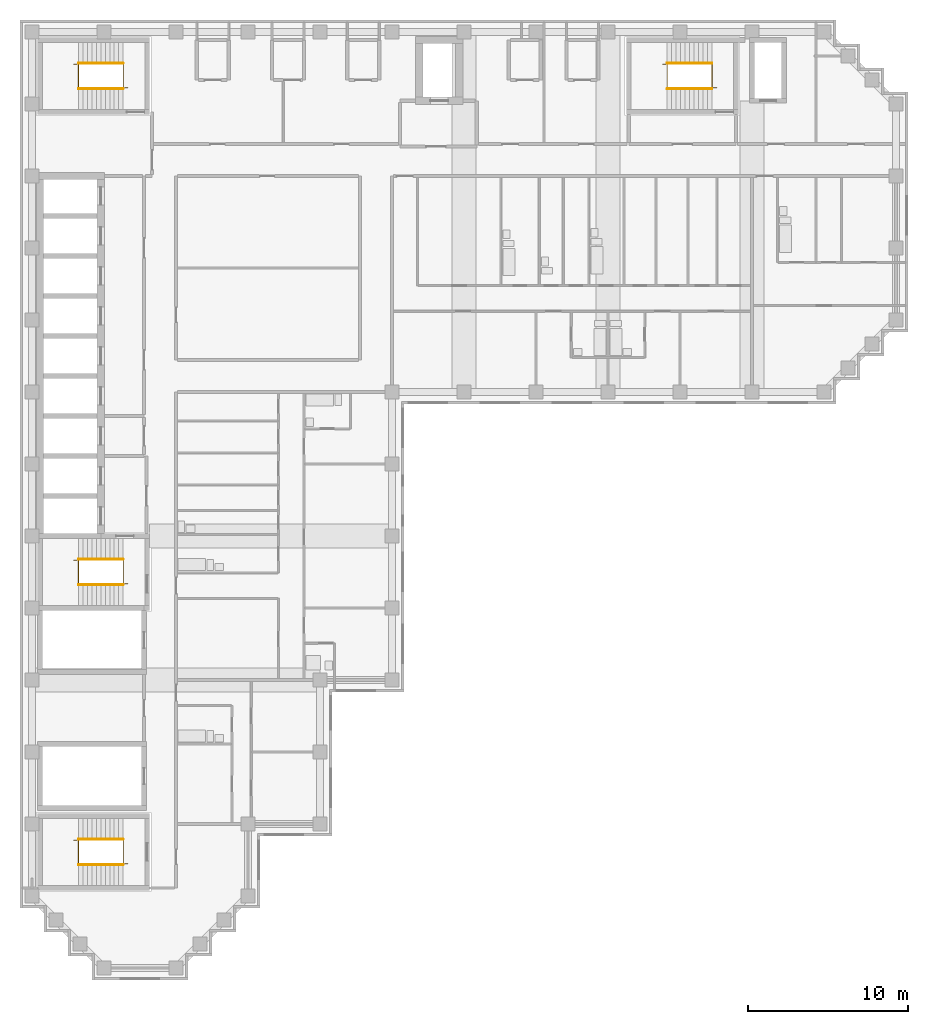
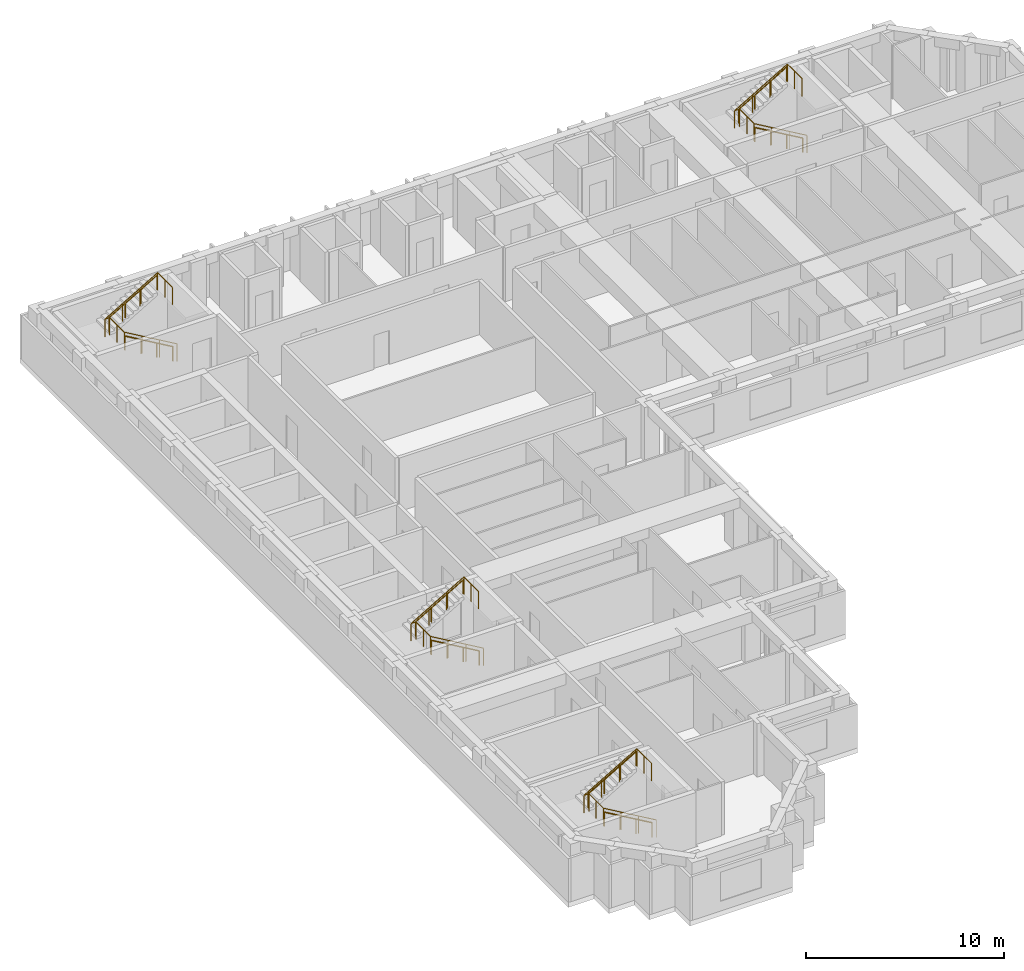
# One storey, part 9 of 10: 12 railings.
"""IFC4 building model written with IfcOpenShell, lengths in metres."""

from ifc_helpers import new_model, si_unit, direction, frame, origin, origin_2d, place, context, subcontext, project, spatial, circle, extrude, material, type_object, element, save


model = new_model("IFC4")

# Units and contexts
model_context = context("Model", 3, precision=1e-05, world=origin(), true_north=direction((0.0, 1.0)))
body_context = subcontext(model_context, "Body", "Model", "MODEL_VIEW")
ifc_project = project(units=[si_unit("LENGTHUNIT", "METRE"), si_unit("AREAUNIT", "SQUARE_METRE"), si_unit("VOLUMEUNIT", "CUBIC_METRE"), si_unit("PLANEANGLEUNIT", "RADIAN"), si_unit("MASSUNIT", "GRAM", prefix="KILO")], contexts=[model_context])

# Site, building, storey
site_placement = place(None, origin())
site = spatial("IfcSite", under=ifc_project, at=site_placement, CompositionType="ELEMENT")
building_placement = place(site_placement, origin())
building = spatial("IfcBuilding", under=site, at=building_placement, Name="Firuza Court", CompositionType="ELEMENT")
storey_placement = place(building_placement, frame((0.0, 0.0, 200.60009765625)))
storey = spatial("IfcBuildingStorey", under=building, at=storey_placement, Name="L51", CompositionType="ELEMENT", Elevation=200.60009765625)

# Railings
ifc_material_1 = material(Name="Steel S355", Category="steel")
railing_type_1 = type_object("IfcRailingType", Name="Handrail 900", PredefinedType="HANDRAIL", material=ifc_material_1)
railing_1_placement = place(storey_placement, frame((42.5, 54.949951171875, 0.16357421875)))
element("IfcRailing", 1, at=railing_1_placement, inside=storey, type_object=railing_type_1, Name="Handrail S1 flight 1", PredefinedType="HANDRAIL", context=body_context, shape_type="SweptSolid", body=[
    extrude(circle(Radius=0.02490234375, at=origin_2d()), frame((0.0, 0.0, 0.875), z_axis=(-0.863393664356, 0.0, 0.504530851732), x_axis=(0.0, -1.0, 0.0)), (0.0, 0.0, 1.0), 3.2431640625),
    extrude(circle(Radius=0.02001953125, at=origin_2d()), origin(), (0.0, 0.0, 1.0), 0.849853515625),
    extrude(circle(Radius=0.02001953125, at=origin_2d()), frame((-0.933349609375, 0.0, 0.54541015625)), (0.0, 0.0, 1.0), 0.849853515625),
    extrude(circle(Radius=0.02001953125, at=origin_2d()), frame((-1.86669921875, 0.0, 1.0908203125)), (0.0, 0.0, 1.0), 0.849853515625),
    extrude(circle(Radius=0.02001953125, at=origin_2d()), frame((-2.800048828125, 0.0, 1.63623046875)), (0.0, 0.0, 1.0), 0.849853515625),
])
railing_2_placement = place(storey_placement, frame((39.699951171875, 56.550048828125, 1.963623046875)))
element("IfcRailing", 2, at=railing_2_placement, inside=storey, type_object=railing_type_1, Name="Handrail S1 flight 2", PredefinedType="HANDRAIL", context=body_context, shape_type="SweptSolid", body=[
    extrude(circle(Radius=0.02490234375, at=origin_2d()), frame((0.0, 0.0, 0.875), z_axis=(0.863393664356, 0.0, 0.504530851732), x_axis=(0.0, 1.0, 0.0)), (0.0, 0.0, 1.0), 3.2431640625),
    extrude(circle(Radius=0.02001953125, at=origin_2d()), origin(), (0.0, 0.0, 1.0), 0.849853515625),
    extrude(circle(Radius=0.02001953125, at=origin_2d()), frame((0.933349609375, 0.0, 0.54541015625)), (0.0, 0.0, 1.0), 0.849853515625),
    extrude(circle(Radius=0.02001953125, at=origin_2d()), frame((1.86669921875, 0.0, 1.0908203125)), (0.0, 0.0, 1.0), 0.849853515625),
    extrude(circle(Radius=0.02001953125, at=origin_2d()), frame((2.800048828125, 0.0, 1.63623046875)), (0.0, 0.0, 1.0), 0.849853515625),
])
railing_3_placement = place(storey_placement, frame((5.699951171875, 23.949951171875, 0.16357421875)))
element("IfcRailing", 3, at=railing_3_placement, inside=storey, type_object=railing_type_1, Name="Handrail S2 flight 1", PredefinedType="HANDRAIL", context=body_context, shape_type="SweptSolid", body=[
    extrude(circle(Radius=0.02490234375, at=origin_2d()), frame((0.0, 0.0, 0.875), z_axis=(-0.863393664356, 0.0, 0.504530851732), x_axis=(0.0, -1.0, 0.0)), (0.0, 0.0, 1.0), 3.2431640625),
    extrude(circle(Radius=0.02001953125, at=origin_2d()), origin(), (0.0, 0.0, 1.0), 0.849853515625),
    extrude(circle(Radius=0.02001953125, at=origin_2d()), frame((-0.933349609375, 0.0, 0.54541015625)), (0.0, 0.0, 1.0), 0.849853515625),
    extrude(circle(Radius=0.02001953125, at=origin_2d()), frame((-1.86669921875, 0.0, 1.0908203125)), (0.0, 0.0, 1.0), 0.849853515625),
    extrude(circle(Radius=0.02001953125, at=origin_2d()), frame((-2.800048828125, 0.0, 1.63623046875)), (0.0, 0.0, 1.0), 0.849853515625),
])
railing_4_placement = place(storey_placement, frame((2.89990234375, 25.550048828125, 1.963623046875)))
element("IfcRailing", 4, at=railing_4_placement, inside=storey, type_object=railing_type_1, Name="Handrail S2 flight 2", PredefinedType="HANDRAIL", context=body_context, shape_type="SweptSolid", body=[
    extrude(circle(Radius=0.02490234375, at=origin_2d()), frame((0.0, 0.0, 0.875), z_axis=(0.863393664356, 0.0, 0.504530851732), x_axis=(0.0, 1.0, 0.0)), (0.0, 0.0, 1.0), 3.2431640625),
    extrude(circle(Radius=0.02001953125, at=origin_2d()), origin(), (0.0, 0.0, 1.0), 0.849853515625),
    extrude(circle(Radius=0.02001953125, at=origin_2d()), frame((0.933349609375, 0.0, 0.54541015625)), (0.0, 0.0, 1.0), 0.849853515625),
    extrude(circle(Radius=0.02001953125, at=origin_2d()), frame((1.86669921875, 0.0, 1.0908203125)), (0.0, 0.0, 1.0), 0.849853515625),
    extrude(circle(Radius=0.02001953125, at=origin_2d()), frame((2.800048828125, 0.0, 1.63623046875)), (0.0, 0.0, 1.0), 0.849853515625),
])
railing_5_placement = place(storey_placement, frame((5.699951171875, 54.949951171875, 0.16357421875)))
element("IfcRailing", 5, at=railing_5_placement, inside=storey, type_object=railing_type_1, Name="Handrail S3 flight 1", PredefinedType="HANDRAIL", context=body_context, shape_type="SweptSolid", body=[
    extrude(circle(Radius=0.02490234375, at=origin_2d()), frame((0.0, 0.0, 0.875), z_axis=(-0.863393664356, 0.0, 0.504530851732), x_axis=(0.0, -1.0, 0.0)), (0.0, 0.0, 1.0), 3.2431640625),
    extrude(circle(Radius=0.02001953125, at=origin_2d()), origin(), (0.0, 0.0, 1.0), 0.849853515625),
    extrude(circle(Radius=0.02001953125, at=origin_2d()), frame((-0.933349609375, 0.0, 0.54541015625)), (0.0, 0.0, 1.0), 0.849853515625),
    extrude(circle(Radius=0.02001953125, at=origin_2d()), frame((-1.86669921875, 0.0, 1.0908203125)), (0.0, 0.0, 1.0), 0.849853515625),
    extrude(circle(Radius=0.02001953125, at=origin_2d()), frame((-2.800048828125, 0.0, 1.63623046875)), (0.0, 0.0, 1.0), 0.849853515625),
])
railing_6_placement = place(storey_placement, frame((2.89990234375, 56.550048828125, 1.963623046875)))
element("IfcRailing", 6, at=railing_6_placement, inside=storey, type_object=railing_type_1, Name="Handrail S3 flight 2", PredefinedType="HANDRAIL", context=body_context, shape_type="SweptSolid", body=[
    extrude(circle(Radius=0.02490234375, at=origin_2d()), frame((0.0, 0.0, 0.875), z_axis=(0.863393664356, 0.0, 0.504530851732), x_axis=(0.0, 1.0, 0.0)), (0.0, 0.0, 1.0), 3.2431640625),
    extrude(circle(Radius=0.02001953125, at=origin_2d()), origin(), (0.0, 0.0, 1.0), 0.849853515625),
    extrude(circle(Radius=0.02001953125, at=origin_2d()), frame((0.933349609375, 0.0, 0.54541015625)), (0.0, 0.0, 1.0), 0.849853515625),
    extrude(circle(Radius=0.02001953125, at=origin_2d()), frame((1.86669921875, 0.0, 1.0908203125)), (0.0, 0.0, 1.0), 0.849853515625),
    extrude(circle(Radius=0.02001953125, at=origin_2d()), frame((2.800048828125, 0.0, 1.63623046875)), (0.0, 0.0, 1.0), 0.849853515625),
])
railing_7_placement = place(storey_placement, frame((5.699951171875, 6.449951171875, 0.16357421875)))
element("IfcRailing", 7, at=railing_7_placement, inside=storey, type_object=railing_type_1, Name="Handrail S5 flight 1", PredefinedType="HANDRAIL", context=body_context, shape_type="SweptSolid", body=[
    extrude(circle(Radius=0.02490234375, at=origin_2d()), frame((0.0, 0.0, 0.875), z_axis=(-0.863393664356, 0.0, 0.504530851732), x_axis=(0.0, -1.0, 0.0)), (0.0, 0.0, 1.0), 3.2431640625),
    extrude(circle(Radius=0.02001953125, at=origin_2d()), origin(), (0.0, 0.0, 1.0), 0.849853515625),
    extrude(circle(Radius=0.02001953125, at=origin_2d()), frame((-0.933349609375, 0.0, 0.54541015625)), (0.0, 0.0, 1.0), 0.849853515625),
    extrude(circle(Radius=0.02001953125, at=origin_2d()), frame((-1.86669921875, 0.0, 1.0908203125)), (0.0, 0.0, 1.0), 0.849853515625),
    extrude(circle(Radius=0.02001953125, at=origin_2d()), frame((-2.800048828125, 0.0, 1.63623046875)), (0.0, 0.0, 1.0), 0.849853515625),
])
railing_8_placement = place(storey_placement, frame((2.89990234375, 8.050048828125, 1.963623046875)))
element("IfcRailing", 8, at=railing_8_placement, inside=storey, type_object=railing_type_1, Name="Handrail S5 flight 2", PredefinedType="HANDRAIL", context=body_context, shape_type="SweptSolid", body=[
    extrude(circle(Radius=0.02490234375, at=origin_2d()), frame((0.0, 0.0, 0.875), z_axis=(0.863393664356, 0.0, 0.504530851732), x_axis=(0.0, 1.0, 0.0)), (0.0, 0.0, 1.0), 3.2431640625),
    extrude(circle(Radius=0.02001953125, at=origin_2d()), origin(), (0.0, 0.0, 1.0), 0.849853515625),
    extrude(circle(Radius=0.02001953125, at=origin_2d()), frame((0.933349609375, 0.0, 0.54541015625)), (0.0, 0.0, 1.0), 0.849853515625),
    extrude(circle(Radius=0.02001953125, at=origin_2d()), frame((1.86669921875, 0.0, 1.0908203125)), (0.0, 0.0, 1.0), 0.849853515625),
    extrude(circle(Radius=0.02001953125, at=origin_2d()), frame((2.800048828125, 0.0, 1.63623046875)), (0.0, 0.0, 1.0), 0.849853515625),
])
ifc_material_2 = material(Name="Steel S355", Category="steel")
railing_type_2 = type_object("IfcRailingType", Name="Stair guard 1100", PredefinedType="GUARDRAIL", material=ifc_material_2)
railing_9_placement = place(storey_placement, frame((42.780029296875, 55.010009765625, 0.0)))
element("IfcRailing", 9, at=railing_9_placement, inside=storey, type_object=railing_type_2, Name="Stair well guard S1", PredefinedType="GUARDRAIL", context=body_context, shape_type="SweptSolid", body=[
    extrude(circle(Radius=0.02490234375, at=origin_2d()), frame((0.0, 0.0, 1.0751953125), z_axis=(-0.863401368682, 0.0, 0.504517667242), x_axis=(0.0, -1.0, 0.0)), (0.0, 0.0, 1.0), 3.5673828125),
    extrude(circle(Radius=0.02490234375, at=origin_2d()), frame((-3.080078125, 0.0, 2.875), z_axis=(0.0, 1.0, 0.0), x_axis=(-1.0, 0.0, 0.0)), (0.0, 0.0, 1.0), 1.47998046875),
    extrude(circle(Radius=0.02490234375, at=origin_2d()), frame((-3.080078125, 1.47998046875, 2.875), z_axis=(-1.0, 0.0, 0.0), x_axis=(0.0, -1.0, 0.0)), (0.0, 0.0, 1.0), 0.280029296875),
    extrude(circle(Radius=0.02490234375, at=origin_2d()), frame((-3.360107421875, 1.47998046875, 2.875), z_axis=(0.863371556955, 0.0, 0.504568681787), x_axis=(0.0, 1.0, 0.0)), (0.0, 0.0, 1.0), 3.5673828125),
    extrude(circle(Radius=0.02490234375, at=origin_2d()), frame((-0.280029296875, 1.47998046875, 4.6748046875), z_axis=(0.0, -1.0, 0.0), x_axis=(1.0, 0.0, 0.0)), (0.0, 0.0, 1.0), 1.47998046875),
    extrude(circle(Radius=0.02490234375, at=origin_2d()), origin(), (0.0, 0.0, 1.0), 1.050048828125),
    extrude(circle(Radius=0.02490234375, at=origin_2d()), frame((-1.026611328125, 0.0, 0.599853515625)), (0.0, 0.0, 1.0), 1.050048828125),
    extrude(circle(Radius=0.02490234375, at=origin_2d()), frame((-2.053466796875, 0.0, 1.199951171875)), (0.0, 0.0, 1.0), 1.050048828125),
    extrude(circle(Radius=0.02490234375, at=origin_2d()), frame((-3.080078125, 0.0, 1.7998046875)), (0.0, 0.0, 1.0), 1.050048828125),
    extrude(circle(Radius=0.02490234375, at=origin_2d()), frame((-3.080078125, 0.739990234375, 1.7998046875)), (0.0, 0.0, 1.0), 1.050048828125),
    extrude(circle(Radius=0.02490234375, at=origin_2d()), frame((-3.080078125, 1.47998046875, 1.7998046875)), (0.0, 0.0, 1.0), 1.050048828125),
    extrude(circle(Radius=0.02490234375, at=origin_2d()), frame((-3.360107421875, 1.47998046875, 1.7998046875)), (0.0, 0.0, 1.0), 1.050048828125),
    extrude(circle(Radius=0.02490234375, at=origin_2d()), frame((-2.33349609375, 1.47998046875, 2.39990234375)), (0.0, 0.0, 1.0), 1.050048828125),
    extrude(circle(Radius=0.02490234375, at=origin_2d()), frame((-1.306640625, 1.47998046875, 2.999755859375)), (0.0, 0.0, 1.0), 1.050048828125),
    extrude(circle(Radius=0.02490234375, at=origin_2d()), frame((-0.280029296875, 1.47998046875, 3.599853515625)), (0.0, 0.0, 1.0), 1.050048828125),
    extrude(circle(Radius=0.02490234375, at=origin_2d()), frame((-0.280029296875, 0.739990234375, 3.599853515625)), (0.0, 0.0, 1.0), 1.050048828125),
    extrude(circle(Radius=0.02490234375, at=origin_2d()), frame((-0.280029296875, 0.0, 3.599853515625)), (0.0, 0.0, 1.0), 1.050048828125),
])
railing_10_placement = place(storey_placement, frame((5.97998046875, 24.010009765625, 0.0)))
element("IfcRailing", 10, at=railing_10_placement, inside=storey, type_object=railing_type_2, Name="Stair well guard S2", PredefinedType="GUARDRAIL", context=body_context, shape_type="SweptSolid", body=[
    extrude(circle(Radius=0.02490234375, at=origin_2d()), frame((0.0, 0.0, 1.0751953125), z_axis=(-0.863401368682, 0.0, 0.504517667242), x_axis=(0.0, -1.0, 0.0)), (0.0, 0.0, 1.0), 3.5673828125),
    extrude(circle(Radius=0.02490234375, at=origin_2d()), frame((-3.080078125, 0.0, 2.875), z_axis=(0.0, 1.0, 0.0), x_axis=(-1.0, 0.0, 0.0)), (0.0, 0.0, 1.0), 1.47998046875),
    extrude(circle(Radius=0.02490234375, at=origin_2d()), frame((-3.080078125, 1.47998046875, 2.875), z_axis=(-1.0, 0.0, 0.0), x_axis=(0.0, -1.0, 0.0)), (0.0, 0.0, 1.0), 0.27978515625),
    extrude(circle(Radius=0.02490234375, at=origin_2d()), frame((-3.35986328125, 1.47998046875, 2.875), z_axis=(0.863354132664, 0.0, 0.504598495452), x_axis=(0.0, 1.0, 0.0)), (0.0, 0.0, 1.0), 3.5673828125),
    extrude(circle(Radius=0.02490234375, at=origin_2d()), frame((-0.280029296875, 1.47998046875, 4.6748046875), z_axis=(0.0, -1.0, 0.0), x_axis=(1.0, 0.0, 0.0)), (0.0, 0.0, 1.0), 1.47998046875),
    extrude(circle(Radius=0.02490234375, at=origin_2d()), origin(), (0.0, 0.0, 1.0), 1.050048828125),
    extrude(circle(Radius=0.02490234375, at=origin_2d()), frame((-1.026611328125, 0.0, 0.599853515625)), (0.0, 0.0, 1.0), 1.050048828125),
    extrude(circle(Radius=0.02490234375, at=origin_2d()), frame((-2.053466796875, 0.0, 1.199951171875)), (0.0, 0.0, 1.0), 1.050048828125),
    extrude(circle(Radius=0.02490234375, at=origin_2d()), frame((-3.080078125, 0.0, 1.7998046875)), (0.0, 0.0, 1.0), 1.050048828125),
    extrude(circle(Radius=0.02490234375, at=origin_2d()), frame((-3.080078125, 0.739990234375, 1.7998046875)), (0.0, 0.0, 1.0), 1.050048828125),
    extrude(circle(Radius=0.02490234375, at=origin_2d()), frame((-3.080078125, 1.47998046875, 1.7998046875)), (0.0, 0.0, 1.0), 1.050048828125),
    extrude(circle(Radius=0.02490234375, at=origin_2d()), frame((-3.35986328125, 1.47998046875, 1.7998046875)), (0.0, 0.0, 1.0), 1.050048828125),
    extrude(circle(Radius=0.02490234375, at=origin_2d()), frame((-2.333251953125, 1.47998046875, 2.39990234375)), (0.0, 0.0, 1.0), 1.050048828125),
    extrude(circle(Radius=0.02490234375, at=origin_2d()), frame((-1.306640625, 1.47998046875, 2.999755859375)), (0.0, 0.0, 1.0), 1.050048828125),
    extrude(circle(Radius=0.02490234375, at=origin_2d()), frame((-0.280029296875, 1.47998046875, 3.599853515625)), (0.0, 0.0, 1.0), 1.050048828125),
    extrude(circle(Radius=0.02490234375, at=origin_2d()), frame((-0.280029296875, 0.739990234375, 3.599853515625)), (0.0, 0.0, 1.0), 1.050048828125),
    extrude(circle(Radius=0.02490234375, at=origin_2d()), frame((-0.280029296875, 0.0, 3.599853515625)), (0.0, 0.0, 1.0), 1.050048828125),
])
railing_11_placement = place(storey_placement, frame((5.97998046875, 55.010009765625, 0.0)))
element("IfcRailing", 11, at=railing_11_placement, inside=storey, type_object=railing_type_2, Name="Stair well guard S3", PredefinedType="GUARDRAIL", context=body_context, shape_type="SweptSolid", body=[
    extrude(circle(Radius=0.02490234375, at=origin_2d()), frame((0.0, 0.0, 1.0751953125), z_axis=(-0.863401368682, 0.0, 0.504517667242), x_axis=(0.0, -1.0, 0.0)), (0.0, 0.0, 1.0), 3.5673828125),
    extrude(circle(Radius=0.02490234375, at=origin_2d()), frame((-3.080078125, 0.0, 2.875), z_axis=(0.0, 1.0, 0.0), x_axis=(-1.0, 0.0, 0.0)), (0.0, 0.0, 1.0), 1.47998046875),
    extrude(circle(Radius=0.02490234375, at=origin_2d()), frame((-3.080078125, 1.47998046875, 2.875), z_axis=(-1.0, 0.0, 0.0), x_axis=(0.0, -1.0, 0.0)), (0.0, 0.0, 1.0), 0.27978515625),
    extrude(circle(Radius=0.02490234375, at=origin_2d()), frame((-3.35986328125, 1.47998046875, 2.875), z_axis=(0.863354132664, 0.0, 0.504598495452), x_axis=(0.0, 1.0, 0.0)), (0.0, 0.0, 1.0), 3.5673828125),
    extrude(circle(Radius=0.02490234375, at=origin_2d()), frame((-0.280029296875, 1.47998046875, 4.6748046875), z_axis=(0.0, -1.0, 0.0), x_axis=(1.0, 0.0, 0.0)), (0.0, 0.0, 1.0), 1.47998046875),
    extrude(circle(Radius=0.02490234375, at=origin_2d()), origin(), (0.0, 0.0, 1.0), 1.050048828125),
    extrude(circle(Radius=0.02490234375, at=origin_2d()), frame((-1.026611328125, 0.0, 0.599853515625)), (0.0, 0.0, 1.0), 1.050048828125),
    extrude(circle(Radius=0.02490234375, at=origin_2d()), frame((-2.053466796875, 0.0, 1.199951171875)), (0.0, 0.0, 1.0), 1.050048828125),
    extrude(circle(Radius=0.02490234375, at=origin_2d()), frame((-3.080078125, 0.0, 1.7998046875)), (0.0, 0.0, 1.0), 1.050048828125),
    extrude(circle(Radius=0.02490234375, at=origin_2d()), frame((-3.080078125, 0.739990234375, 1.7998046875)), (0.0, 0.0, 1.0), 1.050048828125),
    extrude(circle(Radius=0.02490234375, at=origin_2d()), frame((-3.080078125, 1.47998046875, 1.7998046875)), (0.0, 0.0, 1.0), 1.050048828125),
    extrude(circle(Radius=0.02490234375, at=origin_2d()), frame((-3.35986328125, 1.47998046875, 1.7998046875)), (0.0, 0.0, 1.0), 1.050048828125),
    extrude(circle(Radius=0.02490234375, at=origin_2d()), frame((-2.333251953125, 1.47998046875, 2.39990234375)), (0.0, 0.0, 1.0), 1.050048828125),
    extrude(circle(Radius=0.02490234375, at=origin_2d()), frame((-1.306640625, 1.47998046875, 2.999755859375)), (0.0, 0.0, 1.0), 1.050048828125),
    extrude(circle(Radius=0.02490234375, at=origin_2d()), frame((-0.280029296875, 1.47998046875, 3.599853515625)), (0.0, 0.0, 1.0), 1.050048828125),
    extrude(circle(Radius=0.02490234375, at=origin_2d()), frame((-0.280029296875, 0.739990234375, 3.599853515625)), (0.0, 0.0, 1.0), 1.050048828125),
    extrude(circle(Radius=0.02490234375, at=origin_2d()), frame((-0.280029296875, 0.0, 3.599853515625)), (0.0, 0.0, 1.0), 1.050048828125),
])
railing_12_placement = place(storey_placement, frame((5.97998046875, 6.510009765625, 0.0)))
element("IfcRailing", 12, at=railing_12_placement, inside=storey, type_object=railing_type_2, Name="Stair well guard S5", PredefinedType="GUARDRAIL", context=body_context, shape_type="SweptSolid", body=[
    extrude(circle(Radius=0.02490234375, at=origin_2d()), frame((0.0, 0.0, 1.0751953125), z_axis=(-0.863401368682, 0.0, 0.504517667242), x_axis=(0.0, -1.0, 0.0)), (0.0, 0.0, 1.0), 3.5673828125),
    extrude(circle(Radius=0.02490234375, at=origin_2d()), frame((-3.080078125, 0.0, 2.875), z_axis=(0.0, 1.0, 0.0), x_axis=(-1.0, 0.0, 0.0)), (0.0, 0.0, 1.0), 1.47998046875),
    extrude(circle(Radius=0.02490234375, at=origin_2d()), frame((-3.080078125, 1.47998046875, 2.875), z_axis=(-1.0, 0.0, 0.0), x_axis=(0.0, -1.0, 0.0)), (0.0, 0.0, 1.0), 0.27978515625),
    extrude(circle(Radius=0.02490234375, at=origin_2d()), frame((-3.35986328125, 1.47998046875, 2.875), z_axis=(0.863354132664, 0.0, 0.504598495452), x_axis=(0.0, 1.0, 0.0)), (0.0, 0.0, 1.0), 3.5673828125),
    extrude(circle(Radius=0.02490234375, at=origin_2d()), frame((-0.280029296875, 1.47998046875, 4.6748046875), z_axis=(0.0, -1.0, 0.0), x_axis=(1.0, 0.0, 0.0)), (0.0, 0.0, 1.0), 1.47998046875),
    extrude(circle(Radius=0.02490234375, at=origin_2d()), origin(), (0.0, 0.0, 1.0), 1.050048828125),
    extrude(circle(Radius=0.02490234375, at=origin_2d()), frame((-1.026611328125, 0.0, 0.599853515625)), (0.0, 0.0, 1.0), 1.050048828125),
    extrude(circle(Radius=0.02490234375, at=origin_2d()), frame((-2.053466796875, 0.0, 1.199951171875)), (0.0, 0.0, 1.0), 1.050048828125),
    extrude(circle(Radius=0.02490234375, at=origin_2d()), frame((-3.080078125, 0.0, 1.7998046875)), (0.0, 0.0, 1.0), 1.050048828125),
    extrude(circle(Radius=0.02490234375, at=origin_2d()), frame((-3.080078125, 0.739990234375, 1.7998046875)), (0.0, 0.0, 1.0), 1.050048828125),
    extrude(circle(Radius=0.02490234375, at=origin_2d()), frame((-3.080078125, 1.47998046875, 1.7998046875)), (0.0, 0.0, 1.0), 1.050048828125),
    extrude(circle(Radius=0.02490234375, at=origin_2d()), frame((-3.35986328125, 1.47998046875, 1.7998046875)), (0.0, 0.0, 1.0), 1.050048828125),
    extrude(circle(Radius=0.02490234375, at=origin_2d()), frame((-2.333251953125, 1.47998046875, 2.39990234375)), (0.0, 0.0, 1.0), 1.050048828125),
    extrude(circle(Radius=0.02490234375, at=origin_2d()), frame((-1.306640625, 1.47998046875, 2.999755859375)), (0.0, 0.0, 1.0), 1.050048828125),
    extrude(circle(Radius=0.02490234375, at=origin_2d()), frame((-0.280029296875, 1.47998046875, 3.599853515625)), (0.0, 0.0, 1.0), 1.050048828125),
    extrude(circle(Radius=0.02490234375, at=origin_2d()), frame((-0.280029296875, 0.739990234375, 3.599853515625)), (0.0, 0.0, 1.0), 1.050048828125),
    extrude(circle(Radius=0.02490234375, at=origin_2d()), frame((-0.280029296875, 0.0, 3.599853515625)), (0.0, 0.0, 1.0), 1.050048828125),
])

save(model, "model.ifc")
